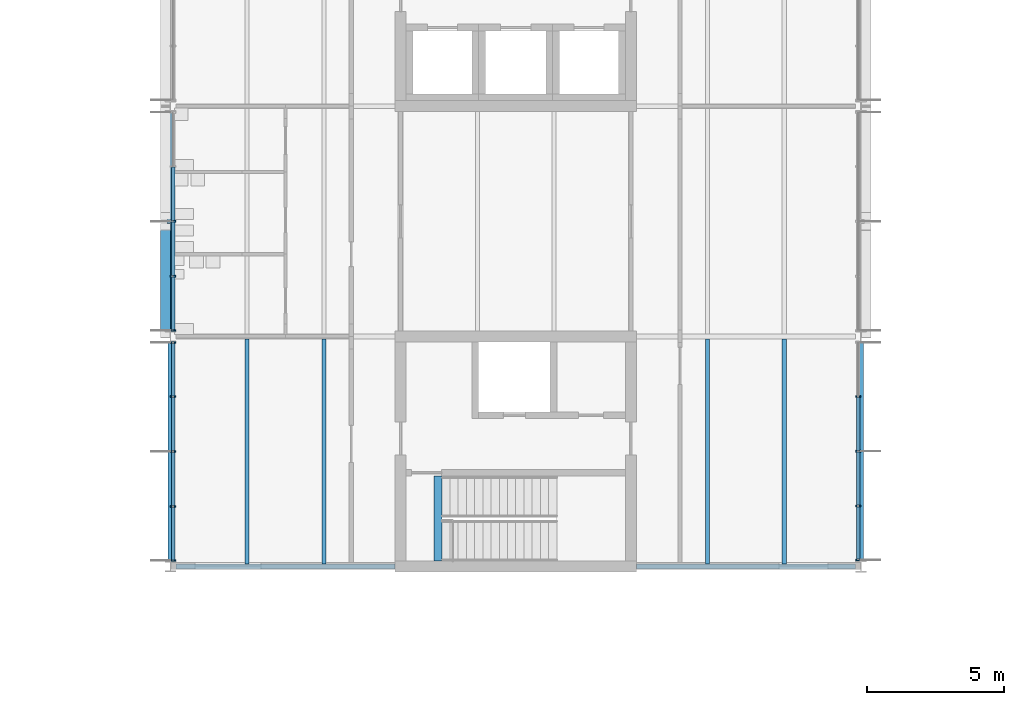
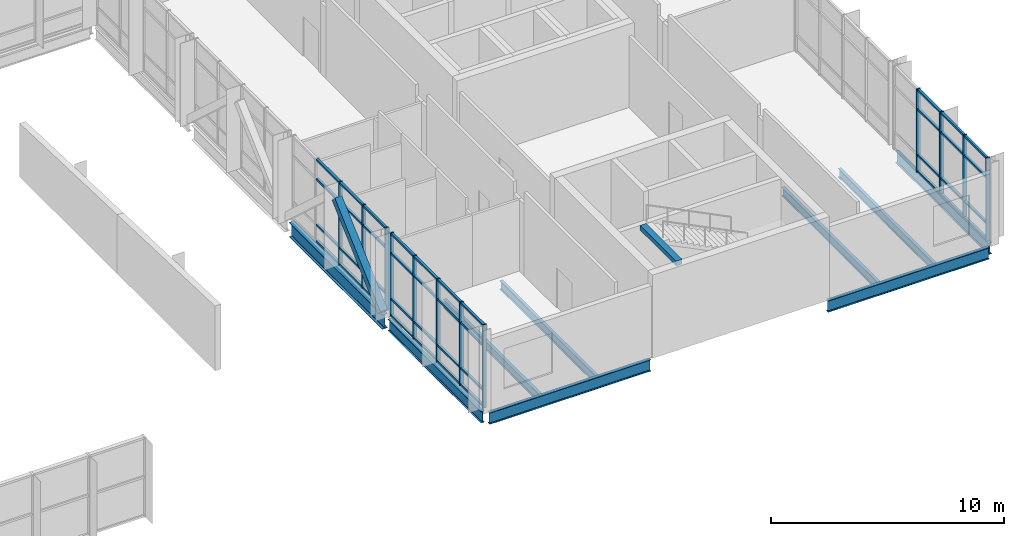
# One storey, part 18 of 72: 53 members, 10 beams, 3 elements without a shape of their own.
"""IFC4 building model written with IfcOpenShell, lengths in metres."""

import ifcopenshell
import ifcopenshell.guid

model = None  # the IFC model being written
_history = None  # IfcOwnerHistory: only IFC2X3 demands one
_inside = {}  # id of a spatial element -> (the spatial element, [elements in it])
_under = {}  # id of a project, library or spatial element -> (it, [spatial elements below it])
_declared = {}  # id of a project -> (the project, [libraries it declares])
_typed = {}  # id of a type object -> (the type object, [elements of that type])
_made_of = {}  # id of a material, layer set ... -> (it, [elements and type objects made of it])


def new_model(schema):
    """Start an empty IFC model of exactly this schema.

    Asked for "IFC4X3", IfcOpenShell would pick the latest addendum, in which some entities
    have other attributes; the version numbers below select the first issue.
    IFC2X3 requires an IfcOwnerHistory on every rooted entity: one is made here for all.
    """
    global model, _history
    if schema == "IFC4X3":
        model = ifcopenshell.file(schema_version=(4, 3, 0, 0))
    else:
        model = ifcopenshell.file(schema=schema)
    _inside.clear()
    _under.clear()
    _declared.clear()
    _typed.clear()
    _made_of.clear()
    _history = None
    if model.schema == "IFC2X3":
        org = make("IfcOrganization", Name="unknown")
        user = make(
            "IfcPersonAndOrganization",
            ThePerson=make("IfcPerson", FamilyName="unknown"),
            TheOrganization=org,
        )
        app = make(
            "IfcApplication",
            ApplicationDeveloper=org,
            Version="unknown",
            ApplicationFullName="unknown",
            ApplicationIdentifier="unknown",
        )
        _history = make(
            "IfcOwnerHistory",
            OwningUser=user,
            OwningApplication=app,
            ChangeAction="ADDED",
            CreationDate=0,
        )
    return model


def make(cls, **values):
    """One entity of the class cls with the attributes given. An attribute that is None is left unset."""
    return model.create_entity(
        cls, **{name: value for name, value in values.items() if value is not None}
    )


def rooted(cls, **values):
    """An entity with a GlobalId (a new one), such as an element, a storey or a relation."""
    return make(cls, GlobalId=ifcopenshell.guid.new(), OwnerHistory=_history, **values)


def si_unit(unit_type, name, prefix=None):
    """IfcSIUnit, for example si_unit("LENGTHUNIT", "METRE", prefix="MILLI")."""
    return make("IfcSIUnit", UnitType=unit_type, Prefix=prefix, Name=name)


def assignment(units):
    """IfcUnitAssignment: the units of a project."""
    return None if units is None else make("IfcUnitAssignment", Units=units)


def point(xyz):
    """IfcCartesianPoint."""
    return None if xyz is None else make("IfcCartesianPoint", Coordinates=xyz)


def direction(xyz):
    """IfcDirection."""
    return None if xyz is None else make("IfcDirection", DirectionRatios=xyz)


def frame(location, z_axis=None, x_axis=None):
    """IfcAxis2Placement3D, a coordinate frame: its origin and axes. An axis left out is left unset."""
    return make(
        "IfcAxis2Placement3D",
        Location=point(location),
        Axis=direction(z_axis),
        RefDirection=direction(x_axis),
    )


def frame_2d(location, x_axis=None):
    """IfcAxis2Placement2D, a coordinate frame in the plane: its origin and x axis."""
    return make(
        "IfcAxis2Placement2D", Location=point(location), RefDirection=direction(x_axis)
    )


def origin():
    """The frame at (0, 0, 0) with its axes left unset."""
    return frame((0.0, 0.0, 0.0))


def origin_2d():
    """The frame at (0, 0) in the plane with its x axis left unset."""
    return frame_2d((0.0, 0.0))


def place(relative_to, where):
    """IfcLocalPlacement: puts the frame where relative to a parent placement (None: the world)."""
    return make(
        "IfcLocalPlacement", PlacementRelTo=relative_to, RelativePlacement=where
    )


def context(
    kind, dimensions, precision=None, world=None, true_north=None, identifier=None
):
    """IfcGeometricRepresentationContext, for example the 3D "Model" context."""
    return make(
        "IfcGeometricRepresentationContext",
        ContextIdentifier=identifier,
        ContextType=kind,
        CoordinateSpaceDimension=dimensions,
        Precision=precision,
        WorldCoordinateSystem=world,
        TrueNorth=true_north,
    )


def subcontext(parent, identifier, kind, view, scale=None):
    """IfcGeometricRepresentationSubContext, for example "Body" below "Model"."""
    return make(
        "IfcGeometricRepresentationSubContext",
        ContextIdentifier=identifier,
        ContextType=kind,
        ParentContext=parent,
        TargetScale=scale,
        TargetView=view,
    )


def project(units=None, contexts=None):
    """IfcProject with its units and contexts."""
    return rooted(
        "IfcProject",
        Name="project",
        RepresentationContexts=contexts,
        UnitsInContext=assignment(units),
    )


def spatial(cls, under=None, at=None, **own):
    """A site, building, storey or space (cls), placed at a placement, below another one or the project."""
    s = rooted(cls, ObjectPlacement=at, **own)
    if under is not None:
        _under.setdefault(under.id(), (under, []))[1].append(s)
    return s


def profile(cls, at=None, kind="AREA", **sizes):
    """A parametric profile (cls). Its sizes go by their IFC names, for example OverallWidth=200.0."""
    return make(cls, ProfileType=kind, Position=at, **sizes)


def rectangle(**sizes):
    """IfcRectangleProfileDef."""
    return profile("IfcRectangleProfileDef", **sizes)


def hollow_rectangle(**sizes):
    """IfcRectangleHollowProfileDef."""
    return profile("IfcRectangleHollowProfileDef", **sizes)


def i_section(**sizes):
    """IfcIShapeProfileDef."""
    return profile("IfcIShapeProfileDef", **sizes)


def extrude(swept, where, along, depth):
    """IfcExtrudedAreaSolid: the profile swept, set in the frame where, extruded along a direction by depth."""
    return make(
        "IfcExtrudedAreaSolid",
        SweptArea=swept,
        Position=where,
        ExtrudedDirection=direction(along),
        Depth=depth,
    )


def shape(context_of_items, identifier, shape_type, items):
    """IfcShapeRepresentation: the items that make up one representation, for example the "Body"."""
    return make(
        "IfcShapeRepresentation",
        ContextOfItems=context_of_items,
        RepresentationIdentifier=identifier,
        RepresentationType=shape_type,
        Items=items,
    )


def material(Name=None, Category=None):
    """IfcMaterial."""
    return make("IfcMaterial", Name=Name, Category=Category)


def material_profile(
    of_material, cross_section, Name=None, Category=None, Priority=None
):
    """IfcMaterialProfile: a cross section and its material."""
    return make(
        "IfcMaterialProfile",
        Name=Name,
        Material=of_material,
        Profile=cross_section,
        Priority=Priority,
        Category=Category,
    )


def profile_set(profiles, Name=None, composite=None):
    """IfcMaterialProfileSet."""
    return make(
        "IfcMaterialProfileSet",
        Name=Name,
        MaterialProfiles=profiles,
        CompositeProfile=composite,
    )


def made_of(thing, what):
    """Note that an element or type object is made of a material, layer set ...; save() writes the relation."""
    if what is not None:
        _made_of.setdefault(what.id(), (what, []))[1].append(thing)
    return thing


def type_object(cls, material=None, **own):
    """A type object (cls), such as IfcWallType, which elements share."""
    return made_of(rooted(cls, **own), material)


def element(
    cls,
    number,
    at=None,
    inside=None,
    cuts=None,
    type_object=None,
    material=None,
    context=None,
    identifier="Body",
    shape_type=None,
    held_by="IfcProductDefinitionShape",
    body=None,
    shapes=None,
    **own,
):
    """One element of the class cls, such as IfcWall. Its Tag is "e" and its number.

    at: its placement. inside: the storey or other place that contains it. cuts: it is an
    opening in that element (IfcRelVoidsElement). A single representation is given by context,
    identifier, shape_type and body (its items); several are given by shapes. held_by: the class
    of the entity that holds the representations. save() writes the other relations.
    """
    e = rooted(cls, Tag="e%d" % number, ObjectPlacement=at, **own)
    if body is not None:
        shapes = [shape(context, identifier, shape_type, body)]
    if shapes is not None:
        e.Representation = make(held_by, Representations=shapes)
    if inside is not None:
        _inside.setdefault(inside.id(), (inside, []))[1].append(e)
    if cuts is not None:
        rooted(
            "IfcRelVoidsElement", RelatingBuildingElement=cuts, RelatedOpeningElement=e
        )
    if type_object is not None:
        _typed.setdefault(type_object.id(), (type_object, []))[1].append(e)
    return made_of(e, material)


def aggregate(whole, parts):
    """IfcRelAggregates: a whole, such as a stair, and the parts it consists of."""
    return rooted("IfcRelAggregates", RelatingObject=whole, RelatedObjects=parts)


def save(model, path):
    """Write the relations noted so far, then the file.

    IfcRelAggregates (storeys below a building ...), IfcRelContainedInSpatialStructure (elements
    in a storey), IfcRelDefinesByType, IfcRelAssociatesMaterial and IfcRelDeclares: one each for
    every whole, place, type object, material and project.
    """
    for whole, parts in _under.values():
        aggregate(whole, parts)
    for where, things in _inside.values():
        rooted(
            "IfcRelContainedInSpatialStructure",
            RelatedElements=things,
            RelatingStructure=where,
        )
    for kind, things in _typed.values():
        rooted("IfcRelDefinesByType", RelatedObjects=things, RelatingType=kind)
    for what, things in _made_of.values():
        rooted("IfcRelAssociatesMaterial", RelatedObjects=things, RelatingMaterial=what)
    for by, libraries in _declared.values():
        rooted("IfcRelDeclares", RelatingContext=by, RelatedDefinitions=libraries)
    model.write(path)


model = new_model("IFC4")

# Units and contexts
model_context = context("Model", 3, precision=1e-05, world=origin(), true_north=direction((0.0, 1.0)))
body_context = subcontext(model_context, "Body", "Model", "MODEL_VIEW")
ifc_project = project(units=[si_unit("LENGTHUNIT", "METRE"), si_unit("AREAUNIT", "SQUARE_METRE"), si_unit("VOLUMEUNIT", "CUBIC_METRE"), si_unit("PLANEANGLEUNIT", "RADIAN"), si_unit("MASSUNIT", "GRAM", prefix="KILO")], contexts=[model_context])

# Site, building, storey
site_placement = place(None, origin())
site = spatial("IfcSite", under=ifc_project, at=site_placement, CompositionType="ELEMENT")
building_placement = place(site_placement, origin())
building = spatial("IfcBuilding", under=site, at=building_placement, Name="Hlaing Beacon Police Headquarters", CompositionType="ELEMENT")
storey_placement = place(building_placement, frame((0.0, 0.0, 14.39990234375)))
storey = spatial("IfcBuildingStorey", under=building, at=storey_placement, Name="L03", CompositionType="ELEMENT", Elevation=14.39990234375)

# Member
ifc_material_1 = material(Name="Steel ASTM A500 Grade C", Category="steel")
ifc_material_profile_1 = material_profile(ifc_material_1, hollow_rectangle(XDim=0.355712890625, YDim=0.355712890625, WallThickness=0.015869140625, at=origin_2d()), Name="HSS14x14x5/8")
ifc_profile_set_1 = profile_set([ifc_material_profile_1], Name="Steel ASTM A500 Grade C")
member_type_1 = type_object("IfcMemberType", Name="Chevron brace HSS14x14x5/8", PredefinedType="BRACE", material=ifc_profile_set_1)
member_1_placement = place(storey_placement, frame((100.6181640625, 42.075927734375, 0.131103515625), z_axis=(0.0, 0.738196081361, 0.674586203137), x_axis=(-1.0, 0.0, 0.0)))
element("IfcMember", 1, at=member_1_placement, inside=storey, type_object=member_type_1, Name="STR-BR-L03-N6a", PredefinedType="BRACE", context=body_context, shape_type="SweptSolid", body=[
    extrude(hollow_rectangle(XDim=0.355712890625, YDim=0.355712890625, WallThickness=0.015869140625, at=origin_2d()), origin(), (0.0, 0.0, 1.0), 5.315673828125),
])

# Beams
ifc_material_2 = material(Name="Steel ASTM A992 Grade 50", Category="steel")
ifc_material_profile_2 = material_profile(ifc_material_2, i_section(OverallWidth=0.177978515625, OverallDepth=0.599365234375, WebThickness=0.010009765625, FlangeThickness=0.012939453125, FilletRadius=0.012939453125, at=origin_2d()), Name="W24x55")
ifc_profile_set_2 = profile_set([ifc_material_profile_2], Name="Steel ASTM A992 Grade 50")
beam_type_1 = type_object("IfcBeamType", Name="Girder W24x55", PredefinedType="BEAM", material=ifc_profile_set_2)
beam_1_placement = place(storey_placement, frame((100.9970703125, 33.60009765625, -0.4296875), z_axis=(1.0, 0.0, 0.0), x_axis=(0.0, 1.0, 0.0)))
element("IfcBeam", 2, at=beam_1_placement, inside=storey, type_object=beam_type_1, Name="STR-BM-L03-GX-N5-P5", PredefinedType="BEAM", context=body_context, shape_type="SweptSolid", body=[
    extrude(i_section(OverallWidth=0.177978515625, OverallDepth=0.599365234375, WebThickness=0.010009765625, FlangeThickness=0.012939453125, FilletRadius=0.012939453125, at=origin_2d()), origin(), (0.0, 0.0, 1.0), 8.0029296875),
])
beam_2_placement = place(storey_placement, frame((117.800048828125, 33.60009765625, -0.4296875), z_axis=(1.0, 0.0, 0.0), x_axis=(0.0, 1.0, 0.0)))
element("IfcBeam", 3, at=beam_2_placement, inside=storey, type_object=beam_type_1, Name="STR-BM-L03-GX-Q5-R5", PredefinedType="BEAM", context=body_context, shape_type="SweptSolid", body=[
    extrude(i_section(OverallWidth=0.177978515625, OverallDepth=0.599365234375, WebThickness=0.010009765625, FlangeThickness=0.012939453125, FilletRadius=0.012939453125, at=origin_2d()), origin(), (0.0, 0.0, 1.0), 7.995849609375),
])
beam_3_placement = place(storey_placement, frame((100.800048828125, 33.7880859375, -0.4296875), z_axis=(0.0, 1.0, 0.0), x_axis=(-1.0, 0.0, 0.0)))
element("IfcBeam", 4, at=beam_3_placement, inside=storey, type_object=beam_type_1, Name="STR-BM-L03-GY-N5-N6", PredefinedType="BEAM", context=body_context, shape_type="SweptSolid", body=[
    extrude(i_section(OverallWidth=0.177978515625, OverallDepth=0.599365234375, WebThickness=0.010009765625, FlangeThickness=0.012939453125, FilletRadius=0.012939453125, at=origin_2d()), origin(), (0.0, 0.0, 1.0), 8.018798828125),
])
beam_4_placement = place(storey_placement, frame((126.0, 33.81201171875, -0.4296875), z_axis=(0.0, 1.0, 0.0), x_axis=(-1.0, 0.0, 0.0)))
element("IfcBeam", 5, at=beam_4_placement, inside=storey, type_object=beam_type_1, Name="STR-BM-L03-GY-R5-R6", PredefinedType="BEAM", context=body_context, shape_type="SweptSolid", body=[
    extrude(i_section(OverallWidth=0.177978515625, OverallDepth=0.599365234375, WebThickness=0.010009765625, FlangeThickness=0.012939453125, FilletRadius=0.012939453125, at=origin_2d()), origin(), (0.0, 0.0, 1.0), 7.994873046875),
])
ifc_material_3 = material(Name="Steel ASTM A992 Grade 50", Category="steel")
ifc_material_profile_3 = material_profile(ifc_material_3, i_section(OverallWidth=0.2666015625, OverallDepth=0.761962890625, WebThickness=0.014404296875, FlangeThickness=0.021484375, FilletRadius=0.0166015625, at=origin_2d()), Name="W30x116")
ifc_profile_set_3 = profile_set([ifc_material_profile_3], Name="Steel ASTM A992 Grade 50")
beam_type_2 = type_object("IfcBeamType", Name="Girder W30x116", PredefinedType="BEAM", material=ifc_profile_set_3)
beam_5_placement = place(storey_placement, frame((100.800048828125, 42.193115234375, -0.510986328125), z_axis=(0.0, 1.0, 0.0), x_axis=(-1.0, 0.0, 0.0)))
element("IfcBeam", 6, at=beam_5_placement, inside=storey, type_object=beam_type_2, Name="STR-BM-L03-GY-N6-N7", PredefinedType="BEAM", context=body_context, shape_type="SweptSolid", body=[
    extrude(i_section(OverallWidth=0.2666015625, OverallDepth=0.761962890625, WebThickness=0.014404296875, FlangeThickness=0.021484375, FilletRadius=0.0166015625, at=origin_2d()), origin(), (0.0, 0.0, 1.0), 8.013916015625),
])

# Curtain wall, members
ifc_material_4 = material(Name="Aluminium frame with solar control glazing", Category="aluminium")
curtain_wall_type_1 = type_object("IfcCurtainWallType", Name="Unitised curtain wall 8.00 x 4.37", PredefinedType="NOTDEFINED", material=ifc_material_4)
curtain_wall_1_placement = place(storey_placement, origin())
curtain_wall_1 = element("IfcCurtainWall", 7, at=curtain_wall_1_placement, inside=storey, type_object=curtain_wall_type_1, Name="ENV-CW-L03-E021", PredefinedType="NOTDEFINED")
ifc_material_5 = material(Name="Aluminium", Category="aluminium")
ifc_material_profile_4 = material_profile(ifc_material_5, rectangle(XDim=0.199951171875, YDim=0.06005859375, at=origin_2d()), Name="Mullion 60x200")
ifc_profile_set_4 = profile_set([ifc_material_profile_4], Name="Aluminium")
member_type_2 = type_object("IfcMemberType", Name="Mullion 60x200", PredefinedType="MULLION", material=ifc_profile_set_4)
member_2_placement = place(storey_placement, frame((125.89990234375, 33.83837890625, 0.0), z_axis=(0.0, 0.0, 1.0), x_axis=(-1.0, 0.0, 0.0)))
member_2 = element("IfcMember", 8, at=member_2_placement, type_object=member_type_2, Name="CW-L03-E021 mullion 1", PredefinedType="MULLION", context=body_context, shape_type="SweptSolid", body=[
    extrude(rectangle(XDim=0.199951171875, YDim=0.06005859375, at=origin_2d()), origin(), (0.0, 0.0, 1.0), 4.3701171875),
])
member_3_placement = place(storey_placement, frame((125.89990234375, 35.80859375, 0.0), z_axis=(0.0, 0.0, 1.0), x_axis=(-1.0, 0.0, 0.0)))
member_3 = element("IfcMember", 9, at=member_3_placement, type_object=member_type_2, Name="CW-L03-E021 mullion 2", PredefinedType="MULLION", context=body_context, shape_type="SweptSolid", body=[
    extrude(rectangle(XDim=0.199951171875, YDim=0.06005859375, at=origin_2d()), origin(), (0.0, 0.0, 1.0), 4.3701171875),
])
member_4_placement = place(storey_placement, frame((125.89990234375, 37.808837890625, 0.0), z_axis=(0.0, 0.0, 1.0), x_axis=(-1.0, 0.0, 0.0)))
member_4 = element("IfcMember", 10, at=member_4_placement, type_object=member_type_2, Name="CW-L03-E021 mullion 3", PredefinedType="MULLION", context=body_context, shape_type="SweptSolid", body=[
    extrude(rectangle(XDim=0.199951171875, YDim=0.06005859375, at=origin_2d()), origin(), (0.0, 0.0, 1.0), 4.3701171875),
])
member_5_placement = place(storey_placement, frame((125.89990234375, 39.80908203125, 0.0), z_axis=(0.0, 0.0, 1.0), x_axis=(-1.0, 0.0, 0.0)))
member_5 = element("IfcMember", 11, at=member_5_placement, type_object=member_type_2, Name="CW-L03-E021 mullion 4", PredefinedType="MULLION", context=body_context, shape_type="SweptSolid", body=[
    extrude(rectangle(XDim=0.199951171875, YDim=0.06005859375, at=origin_2d()), origin(), (0.0, 0.0, 1.0), 4.3701171875),
])

ifc_material_6 = material(Name="Aluminium frame with solar control glazing", Category="aluminium")
curtain_wall_type_2 = type_object("IfcCurtainWallType", Name="Unitised curtain wall 8.02 x 4.37", PredefinedType="NOTDEFINED", material=ifc_material_6)
curtain_wall_2_placement = place(storey_placement, origin())
curtain_wall_2 = element("IfcCurtainWall", 12, at=curtain_wall_2_placement, inside=storey, type_object=curtain_wall_type_2, Name="ENV-CW-L03-W038", PredefinedType="NOTDEFINED")
member_6_placement = place(storey_placement, frame((100.89990234375, 46.199951171875, 0.0), z_axis=(0.0, 0.0, 1.0), x_axis=(1.0, 0.0, 0.0)))
member_6 = element("IfcMember", 13, at=member_6_placement, type_object=member_type_2, Name="CW-L03-W038 mullion 3", PredefinedType="MULLION", context=body_context, shape_type="SweptSolid", body=[
    extrude(rectangle(XDim=0.199951171875, YDim=0.06005859375, at=origin_2d()), origin(), (0.0, 0.0, 1.0), 4.3701171875),
])
member_7_placement = place(storey_placement, frame((100.89990234375, 44.1953125, 0.0), z_axis=(0.0, 0.0, 1.0), x_axis=(1.0, 0.0, 0.0)))
member_7 = element("IfcMember", 14, at=member_7_placement, type_object=member_type_2, Name="CW-L03-W038 mullion 4", PredefinedType="MULLION", context=body_context, shape_type="SweptSolid", body=[
    extrude(rectangle(XDim=0.199951171875, YDim=0.06005859375, at=origin_2d()), origin(), (0.0, 0.0, 1.0), 4.3701171875),
])
member_8_placement = place(storey_placement, frame((100.89990234375, 42.220458984375, 0.0), z_axis=(0.0, 0.0, 1.0), x_axis=(1.0, 0.0, 0.0)))
member_8 = element("IfcMember", 15, at=member_8_placement, type_object=member_type_2, Name="CW-L03-W038 mullion 5", PredefinedType="MULLION", context=body_context, shape_type="SweptSolid", body=[
    extrude(rectangle(XDim=0.199951171875, YDim=0.06005859375, at=origin_2d()), origin(), (0.0, 0.0, 1.0), 4.3701171875),
])

curtain_wall_3_placement = place(storey_placement, origin())
curtain_wall_3 = element("IfcCurtainWall", 16, at=curtain_wall_3_placement, inside=storey, type_object=curtain_wall_type_2, Name="ENV-CW-L03-W039", PredefinedType="NOTDEFINED")
member_9_placement = place(storey_placement, frame((100.89990234375, 41.779541015625, 0.0), z_axis=(0.0, 0.0, 1.0), x_axis=(1.0, 0.0, 0.0)))
member_9 = element("IfcMember", 17, at=member_9_placement, type_object=member_type_2, Name="CW-L03-W039 mullion 1", PredefinedType="MULLION", context=body_context, shape_type="SweptSolid", body=[
    extrude(rectangle(XDim=0.199951171875, YDim=0.06005859375, at=origin_2d()), origin(), (0.0, 0.0, 1.0), 4.3701171875),
])
member_10_placement = place(storey_placement, frame((100.89990234375, 39.8037109375, 0.0), z_axis=(0.0, 0.0, 1.0), x_axis=(1.0, 0.0, 0.0)))
member_10 = element("IfcMember", 18, at=member_10_placement, type_object=member_type_2, Name="CW-L03-W039 mullion 2", PredefinedType="MULLION", context=body_context, shape_type="SweptSolid", body=[
    extrude(rectangle(XDim=0.199951171875, YDim=0.06005859375, at=origin_2d()), origin(), (0.0, 0.0, 1.0), 4.3701171875),
])
member_11_placement = place(storey_placement, frame((100.89990234375, 37.798095703125, 0.0), z_axis=(0.0, 0.0, 1.0), x_axis=(1.0, 0.0, 0.0)))
member_11 = element("IfcMember", 19, at=member_11_placement, type_object=member_type_2, Name="CW-L03-W039 mullion 3", PredefinedType="MULLION", context=body_context, shape_type="SweptSolid", body=[
    extrude(rectangle(XDim=0.199951171875, YDim=0.06005859375, at=origin_2d()), origin(), (0.0, 0.0, 1.0), 4.3701171875),
])
member_12_placement = place(storey_placement, frame((100.89990234375, 35.79248046875, 0.0), z_axis=(0.0, 0.0, 1.0), x_axis=(1.0, 0.0, 0.0)))
member_12 = element("IfcMember", 20, at=member_12_placement, type_object=member_type_2, Name="CW-L03-W039 mullion 4", PredefinedType="MULLION", context=body_context, shape_type="SweptSolid", body=[
    extrude(rectangle(XDim=0.199951171875, YDim=0.06005859375, at=origin_2d()), origin(), (0.0, 0.0, 1.0), 4.3701171875),
])
member_13_placement = place(storey_placement, frame((100.89990234375, 33.816650390625, 0.0), z_axis=(0.0, 0.0, 1.0), x_axis=(1.0, 0.0, 0.0)))
member_13 = element("IfcMember", 21, at=member_13_placement, type_object=member_type_2, Name="CW-L03-W039 mullion 5", PredefinedType="MULLION", context=body_context, shape_type="SweptSolid", body=[
    extrude(rectangle(XDim=0.199951171875, YDim=0.06005859375, at=origin_2d()), origin(), (0.0, 0.0, 1.0), 4.3701171875),
])

# Beams
ifc_material_7 = material(Name="Steel ASTM A992 Grade 50", Category="steel")
ifc_material_profile_5 = material_profile(ifc_material_7, i_section(OverallWidth=0.15234375, OverallDepth=0.449462890625, WebThickness=0.007568359375, FlangeThickness=0.0107421875, FilletRadius=0.01025390625, at=origin_2d()), Name="W18x35")
ifc_profile_set_5 = profile_set([ifc_material_profile_5], Name="Steel ASTM A992 Grade 50")
beam_type_3 = type_object("IfcBeamType", Name="Secondary beam W18x35", PredefinedType="BEAM", material=ifc_profile_set_5)
for number, where, z_axis, x_axis, name in (
    (22, (103.60009765625, 33.68896484375, -0.354736328125), (0.0, 1.0, 0.0), (-1.0, 0.0, 0.0), "STR-BM-L03-SB-N5-y1"),
    (23, (106.39990234375, 33.68896484375, -0.354736328125), (0.0, 1.0, 0.0), (-1.0, 0.0, 0.0), "STR-BM-L03-SB-N5-y2"),
    (24, (120.39990234375, 33.68896484375, -0.354736328125), (0.0, 1.0, 0.0), (-1.0, 0.0, 0.0), "STR-BM-L03-SB-Q5-y1"),
    (25, (123.199951171875, 33.68896484375, -0.354736328125), (0.0, 1.0, 0.0), (-1.0, 0.0, 0.0), "STR-BM-L03-SB-Q5-y2"),
):
    element("IfcBeam", number, at=place(storey_placement, frame(where, z_axis=z_axis, x_axis=x_axis)), inside=storey, type_object=beam_type_3, Name=name, PredefinedType="BEAM", context=body_context, shape_type="SweptSolid", body=[
        extrude(i_section(OverallWidth=0.15234375, OverallDepth=0.449462890625, WebThickness=0.007568359375, FlangeThickness=0.0107421875, FilletRadius=0.01025390625, at=origin_2d()), origin(), (0.0, 0.0, 1.0), 8.221923828125),
    ])
ifc_material_8 = material(Name="Concrete C40/50", Category="concrete")
ifc_material_profile_6 = material_profile(ifc_material_8, rectangle(XDim=0.300048828125, YDim=0.25, at=origin_2d()), Name="Stair arrival beam 300x250")
ifc_profile_set_6 = profile_set([ifc_material_profile_6], Name="Concrete C40/50")
beam_type_4 = type_object("IfcBeamType", Name="Stair arrival beam 300x250", PredefinedType="BEAM", material=ifc_profile_set_6)
beam_6_placement = place(storey_placement, frame((110.56005859375, 33.800048828125, 4.2451171875), z_axis=(0.0, 1.0, 0.0), x_axis=(-1.0, 0.0, 0.0)))
element("IfcBeam", 26, at=beam_6_placement, inside=storey, type_object=beam_type_4, Name="Stair arrival beam ST-L", PredefinedType="BEAM", context=body_context, shape_type="SweptSolid", body=[
    extrude(rectangle(XDim=0.300048828125, YDim=0.25, at=origin_2d()), origin(), (0.0, 0.0, 1.0), 3.099853515625),
])

# Member
ifc_material_9 = material(Name="Aluminium", Category="aluminium")
ifc_material_profile_7 = material_profile(ifc_material_9, rectangle(XDim=0.1201171875, YDim=0.10009765625, at=origin_2d()), Name="Transom 120x100")
ifc_profile_set_7 = profile_set([ifc_material_profile_7], Name="Aluminium")
member_type_3 = type_object("IfcMemberType", Name="Transom 120x100", PredefinedType="USERDEFINED", material=ifc_profile_set_7)
member_14_placement = place(storey_placement, frame((125.89990234375, 33.868408203125, 0.050048828125), z_axis=(0.0, 1.0, 0.0), x_axis=(-1.0, 0.0, 0.0)))
member_14 = element("IfcMember", 27, at=member_14_placement, type_object=member_type_3, Name="CW-L03-E021 transom 1.1", ObjectType="TRANSOM", PredefinedType="USERDEFINED", context=body_context, shape_type="SweptSolid", body=[
    extrude(rectangle(XDim=0.1201171875, YDim=0.10009765625, at=origin_2d()), origin(), (0.0, 0.0, 1.0), 1.91015625),
])

member_15_placement = place(storey_placement, frame((125.89990234375, 33.868408203125, 0.900146484375), z_axis=(0.0, 1.0, 0.0), x_axis=(-1.0, 0.0, 0.0)))
member_15 = element("IfcMember", 28, at=member_15_placement, type_object=member_type_3, Name="CW-L03-E021 transom 1.2", ObjectType="TRANSOM", PredefinedType="USERDEFINED", context=body_context, shape_type="SweptSolid", body=[
    extrude(rectangle(XDim=0.1201171875, YDim=0.10009765625, at=origin_2d()), origin(), (0.0, 0.0, 1.0), 1.91015625),
])

member_16_placement = place(storey_placement, frame((125.89990234375, 33.868408203125, 3.300048828125), z_axis=(0.0, 1.0, 0.0), x_axis=(-1.0, 0.0, 0.0)))
member_16 = element("IfcMember", 29, at=member_16_placement, type_object=member_type_3, Name="CW-L03-E021 transom 1.3", ObjectType="TRANSOM", PredefinedType="USERDEFINED", context=body_context, shape_type="SweptSolid", body=[
    extrude(rectangle(XDim=0.1201171875, YDim=0.10009765625, at=origin_2d()), origin(), (0.0, 0.0, 1.0), 1.91015625),
])

member_17_placement = place(storey_placement, frame((125.89990234375, 33.868408203125, 4.320068359375), z_axis=(0.0, 1.0, 0.0), x_axis=(-1.0, 0.0, 0.0)))
member_17 = element("IfcMember", 30, at=member_17_placement, type_object=member_type_3, Name="CW-L03-E021 transom 1.4", ObjectType="TRANSOM", PredefinedType="USERDEFINED", context=body_context, shape_type="SweptSolid", body=[
    extrude(rectangle(XDim=0.1201171875, YDim=0.10009765625, at=origin_2d()), origin(), (0.0, 0.0, 1.0), 1.91015625),
])

member_18_placement = place(storey_placement, frame((125.89990234375, 35.838623046875, 0.050048828125), z_axis=(0.0, 1.0, 0.0), x_axis=(-1.0, 0.0, 0.0)))
member_18 = element("IfcMember", 31, at=member_18_placement, type_object=member_type_3, Name="CW-L03-E021 transom 2.1", ObjectType="TRANSOM", PredefinedType="USERDEFINED", context=body_context, shape_type="SweptSolid", body=[
    extrude(rectangle(XDim=0.1201171875, YDim=0.10009765625, at=origin_2d()), origin(), (0.0, 0.0, 1.0), 1.940185546875),
])

member_19_placement = place(storey_placement, frame((125.89990234375, 35.838623046875, 0.900146484375), z_axis=(0.0, 1.0, 0.0), x_axis=(-1.0, 0.0, 0.0)))
member_19 = element("IfcMember", 32, at=member_19_placement, type_object=member_type_3, Name="CW-L03-E021 transom 2.2", ObjectType="TRANSOM", PredefinedType="USERDEFINED", context=body_context, shape_type="SweptSolid", body=[
    extrude(rectangle(XDim=0.1201171875, YDim=0.10009765625, at=origin_2d()), origin(), (0.0, 0.0, 1.0), 1.940185546875),
])

member_20_placement = place(storey_placement, frame((125.89990234375, 35.838623046875, 3.300048828125), z_axis=(0.0, 1.0, 0.0), x_axis=(-1.0, 0.0, 0.0)))
member_20 = element("IfcMember", 33, at=member_20_placement, type_object=member_type_3, Name="CW-L03-E021 transom 2.3", ObjectType="TRANSOM", PredefinedType="USERDEFINED", context=body_context, shape_type="SweptSolid", body=[
    extrude(rectangle(XDim=0.1201171875, YDim=0.10009765625, at=origin_2d()), origin(), (0.0, 0.0, 1.0), 1.940185546875),
])

member_21_placement = place(storey_placement, frame((125.89990234375, 35.838623046875, 4.320068359375), z_axis=(0.0, 1.0, 0.0), x_axis=(-1.0, 0.0, 0.0)))
member_21 = element("IfcMember", 34, at=member_21_placement, type_object=member_type_3, Name="CW-L03-E021 transom 2.4", ObjectType="TRANSOM", PredefinedType="USERDEFINED", context=body_context, shape_type="SweptSolid", body=[
    extrude(rectangle(XDim=0.1201171875, YDim=0.10009765625, at=origin_2d()), origin(), (0.0, 0.0, 1.0), 1.940185546875),
])

member_22_placement = place(storey_placement, frame((125.89990234375, 37.8388671875, 0.050048828125), z_axis=(0.0, 1.0, 0.0), x_axis=(-1.0, 0.0, 0.0)))
member_22 = element("IfcMember", 35, at=member_22_placement, type_object=member_type_3, Name="CW-L03-E021 transom 3.1", ObjectType="TRANSOM", PredefinedType="USERDEFINED", context=body_context, shape_type="SweptSolid", body=[
    extrude(rectangle(XDim=0.1201171875, YDim=0.10009765625, at=origin_2d()), origin(), (0.0, 0.0, 1.0), 1.9404296875),
])

member_23_placement = place(storey_placement, frame((125.89990234375, 37.8388671875, 0.900146484375), z_axis=(0.0, 1.0, 0.0), x_axis=(-1.0, 0.0, 0.0)))
member_23 = element("IfcMember", 36, at=member_23_placement, type_object=member_type_3, Name="CW-L03-E021 transom 3.2", ObjectType="TRANSOM", PredefinedType="USERDEFINED", context=body_context, shape_type="SweptSolid", body=[
    extrude(rectangle(XDim=0.1201171875, YDim=0.10009765625, at=origin_2d()), origin(), (0.0, 0.0, 1.0), 1.9404296875),
])

member_24_placement = place(storey_placement, frame((125.89990234375, 37.8388671875, 3.300048828125), z_axis=(0.0, 1.0, 0.0), x_axis=(-1.0, 0.0, 0.0)))
member_24 = element("IfcMember", 37, at=member_24_placement, type_object=member_type_3, Name="CW-L03-E021 transom 3.3", ObjectType="TRANSOM", PredefinedType="USERDEFINED", context=body_context, shape_type="SweptSolid", body=[
    extrude(rectangle(XDim=0.1201171875, YDim=0.10009765625, at=origin_2d()), origin(), (0.0, 0.0, 1.0), 1.9404296875),
])

member_25_placement = place(storey_placement, frame((125.89990234375, 37.8388671875, 4.320068359375), z_axis=(0.0, 1.0, 0.0), x_axis=(-1.0, 0.0, 0.0)))
member_25 = element("IfcMember", 38, at=member_25_placement, type_object=member_type_3, Name="CW-L03-E021 transom 3.4", ObjectType="TRANSOM", PredefinedType="USERDEFINED", context=body_context, shape_type="SweptSolid", body=[
    extrude(rectangle(XDim=0.1201171875, YDim=0.10009765625, at=origin_2d()), origin(), (0.0, 0.0, 1.0), 1.9404296875),
])

aggregate(curtain_wall_1, [member_2, member_3, member_4, member_5, member_14, member_15, member_16, member_17, member_18, member_19, member_20, member_21, member_22, member_23, member_24, member_25])

member_26_placement = place(storey_placement, frame((100.89990234375, 48.1748046875, 0.050048828125), z_axis=(0.0, -1.0, 0.0), x_axis=(1.0, 0.0, 0.0)))
member_26 = element("IfcMember", 39, at=member_26_placement, type_object=member_type_3, Name="CW-L03-W038 transom 2.1", ObjectType="TRANSOM", PredefinedType="USERDEFINED", context=body_context, shape_type="SweptSolid", body=[
    extrude(rectangle(XDim=0.1201171875, YDim=0.10009765625, at=origin_2d()), origin(), (0.0, 0.0, 1.0), 1.94482421875),
])

member_27_placement = place(storey_placement, frame((100.89990234375, 48.1748046875, 0.900146484375), z_axis=(0.0, -1.0, 0.0), x_axis=(1.0, 0.0, 0.0)))
member_27 = element("IfcMember", 40, at=member_27_placement, type_object=member_type_3, Name="CW-L03-W038 transom 2.2", ObjectType="TRANSOM", PredefinedType="USERDEFINED", context=body_context, shape_type="SweptSolid", body=[
    extrude(rectangle(XDim=0.1201171875, YDim=0.10009765625, at=origin_2d()), origin(), (0.0, 0.0, 1.0), 1.94482421875),
])

member_28_placement = place(storey_placement, frame((100.89990234375, 48.1748046875, 3.300048828125), z_axis=(0.0, -1.0, 0.0), x_axis=(1.0, 0.0, 0.0)))
member_28 = element("IfcMember", 41, at=member_28_placement, type_object=member_type_3, Name="CW-L03-W038 transom 2.3", ObjectType="TRANSOM", PredefinedType="USERDEFINED", context=body_context, shape_type="SweptSolid", body=[
    extrude(rectangle(XDim=0.1201171875, YDim=0.10009765625, at=origin_2d()), origin(), (0.0, 0.0, 1.0), 1.94482421875),
])

member_29_placement = place(storey_placement, frame((100.89990234375, 48.1748046875, 4.320068359375), z_axis=(0.0, -1.0, 0.0), x_axis=(1.0, 0.0, 0.0)))
member_29 = element("IfcMember", 42, at=member_29_placement, type_object=member_type_3, Name="CW-L03-W038 transom 2.4", ObjectType="TRANSOM", PredefinedType="USERDEFINED", context=body_context, shape_type="SweptSolid", body=[
    extrude(rectangle(XDim=0.1201171875, YDim=0.10009765625, at=origin_2d()), origin(), (0.0, 0.0, 1.0), 1.94482421875),
])

member_30_placement = place(storey_placement, frame((100.89990234375, 46.169921875, 0.050048828125), z_axis=(0.0, -1.0, 0.0), x_axis=(1.0, 0.0, 0.0)))
member_30 = element("IfcMember", 43, at=member_30_placement, type_object=member_type_3, Name="CW-L03-W038 transom 3.1", ObjectType="TRANSOM", PredefinedType="USERDEFINED", context=body_context, shape_type="SweptSolid", body=[
    extrude(rectangle(XDim=0.1201171875, YDim=0.10009765625, at=origin_2d()), origin(), (0.0, 0.0, 1.0), 1.944580078125),
])

member_31_placement = place(storey_placement, frame((100.89990234375, 46.169921875, 0.900146484375), z_axis=(0.0, -1.0, 0.0), x_axis=(1.0, 0.0, 0.0)))
member_31 = element("IfcMember", 44, at=member_31_placement, type_object=member_type_3, Name="CW-L03-W038 transom 3.2", ObjectType="TRANSOM", PredefinedType="USERDEFINED", context=body_context, shape_type="SweptSolid", body=[
    extrude(rectangle(XDim=0.1201171875, YDim=0.10009765625, at=origin_2d()), origin(), (0.0, 0.0, 1.0), 1.944580078125),
])

member_32_placement = place(storey_placement, frame((100.89990234375, 46.169921875, 3.300048828125), z_axis=(0.0, -1.0, 0.0), x_axis=(1.0, 0.0, 0.0)))
member_32 = element("IfcMember", 45, at=member_32_placement, type_object=member_type_3, Name="CW-L03-W038 transom 3.3", ObjectType="TRANSOM", PredefinedType="USERDEFINED", context=body_context, shape_type="SweptSolid", body=[
    extrude(rectangle(XDim=0.1201171875, YDim=0.10009765625, at=origin_2d()), origin(), (0.0, 0.0, 1.0), 1.944580078125),
])

member_33_placement = place(storey_placement, frame((100.89990234375, 46.169921875, 4.320068359375), z_axis=(0.0, -1.0, 0.0), x_axis=(1.0, 0.0, 0.0)))
member_33 = element("IfcMember", 46, at=member_33_placement, type_object=member_type_3, Name="CW-L03-W038 transom 3.4", ObjectType="TRANSOM", PredefinedType="USERDEFINED", context=body_context, shape_type="SweptSolid", body=[
    extrude(rectangle(XDim=0.1201171875, YDim=0.10009765625, at=origin_2d()), origin(), (0.0, 0.0, 1.0), 1.944580078125),
])

member_34_placement = place(storey_placement, frame((100.89990234375, 44.165283203125, 0.050048828125), z_axis=(0.0, -1.0, 0.0), x_axis=(1.0, 0.0, 0.0)))
member_34 = element("IfcMember", 47, at=member_34_placement, type_object=member_type_3, Name="CW-L03-W038 transom 4.1", ObjectType="TRANSOM", PredefinedType="USERDEFINED", context=body_context, shape_type="SweptSolid", body=[
    extrude(rectangle(XDim=0.1201171875, YDim=0.10009765625, at=origin_2d()), origin(), (0.0, 0.0, 1.0), 1.914794921875),
])

member_35_placement = place(storey_placement, frame((100.89990234375, 44.165283203125, 0.900146484375), z_axis=(0.0, -1.0, 0.0), x_axis=(1.0, 0.0, 0.0)))
member_35 = element("IfcMember", 48, at=member_35_placement, type_object=member_type_3, Name="CW-L03-W038 transom 4.2", ObjectType="TRANSOM", PredefinedType="USERDEFINED", context=body_context, shape_type="SweptSolid", body=[
    extrude(rectangle(XDim=0.1201171875, YDim=0.10009765625, at=origin_2d()), origin(), (0.0, 0.0, 1.0), 1.914794921875),
])

member_36_placement = place(storey_placement, frame((100.89990234375, 44.165283203125, 3.300048828125), z_axis=(0.0, -1.0, 0.0), x_axis=(1.0, 0.0, 0.0)))
member_36 = element("IfcMember", 49, at=member_36_placement, type_object=member_type_3, Name="CW-L03-W038 transom 4.3", ObjectType="TRANSOM", PredefinedType="USERDEFINED", context=body_context, shape_type="SweptSolid", body=[
    extrude(rectangle(XDim=0.1201171875, YDim=0.10009765625, at=origin_2d()), origin(), (0.0, 0.0, 1.0), 1.914794921875),
])

member_37_placement = place(storey_placement, frame((100.89990234375, 44.165283203125, 4.320068359375), z_axis=(0.0, -1.0, 0.0), x_axis=(1.0, 0.0, 0.0)))
member_37 = element("IfcMember", 50, at=member_37_placement, type_object=member_type_3, Name="CW-L03-W038 transom 4.4", ObjectType="TRANSOM", PredefinedType="USERDEFINED", context=body_context, shape_type="SweptSolid", body=[
    extrude(rectangle(XDim=0.1201171875, YDim=0.10009765625, at=origin_2d()), origin(), (0.0, 0.0, 1.0), 1.914794921875),
])

aggregate(curtain_wall_2, [member_6, member_7, member_8, member_26, member_27, member_28, member_29, member_30, member_31, member_32, member_33, member_34, member_35, member_36, member_37])

member_38_placement = place(storey_placement, frame((100.89990234375, 41.74951171875, 0.050048828125), z_axis=(0.0, -1.0, 0.0), x_axis=(1.0, 0.0, 0.0)))
member_38 = element("IfcMember", 51, at=member_38_placement, type_object=member_type_3, Name="CW-L03-W039 transom 1.1", ObjectType="TRANSOM", PredefinedType="USERDEFINED", context=body_context, shape_type="SweptSolid", body=[
    extrude(rectangle(XDim=0.1201171875, YDim=0.10009765625, at=origin_2d()), origin(), (0.0, 0.0, 1.0), 1.915771484375),
])

member_39_placement = place(storey_placement, frame((100.89990234375, 41.74951171875, 0.900146484375), z_axis=(0.0, -1.0, 0.0), x_axis=(1.0, 0.0, 0.0)))
member_39 = element("IfcMember", 52, at=member_39_placement, type_object=member_type_3, Name="CW-L03-W039 transom 1.2", ObjectType="TRANSOM", PredefinedType="USERDEFINED", context=body_context, shape_type="SweptSolid", body=[
    extrude(rectangle(XDim=0.1201171875, YDim=0.10009765625, at=origin_2d()), origin(), (0.0, 0.0, 1.0), 1.915771484375),
])

member_40_placement = place(storey_placement, frame((100.89990234375, 41.74951171875, 3.300048828125), z_axis=(0.0, -1.0, 0.0), x_axis=(1.0, 0.0, 0.0)))
member_40 = element("IfcMember", 53, at=member_40_placement, type_object=member_type_3, Name="CW-L03-W039 transom 1.3", ObjectType="TRANSOM", PredefinedType="USERDEFINED", context=body_context, shape_type="SweptSolid", body=[
    extrude(rectangle(XDim=0.1201171875, YDim=0.10009765625, at=origin_2d()), origin(), (0.0, 0.0, 1.0), 1.915771484375),
])

member_41_placement = place(storey_placement, frame((100.89990234375, 41.74951171875, 4.320068359375), z_axis=(0.0, -1.0, 0.0), x_axis=(1.0, 0.0, 0.0)))
member_41 = element("IfcMember", 54, at=member_41_placement, type_object=member_type_3, Name="CW-L03-W039 transom 1.4", ObjectType="TRANSOM", PredefinedType="USERDEFINED", context=body_context, shape_type="SweptSolid", body=[
    extrude(rectangle(XDim=0.1201171875, YDim=0.10009765625, at=origin_2d()), origin(), (0.0, 0.0, 1.0), 1.915771484375),
])

member_42_placement = place(storey_placement, frame((100.89990234375, 39.773681640625, 0.050048828125), z_axis=(0.0, -1.0, 0.0), x_axis=(1.0, 0.0, 0.0)))
member_42 = element("IfcMember", 55, at=member_42_placement, type_object=member_type_3, Name="CW-L03-W039 transom 2.1", ObjectType="TRANSOM", PredefinedType="USERDEFINED", context=body_context, shape_type="SweptSolid", body=[
    extrude(rectangle(XDim=0.1201171875, YDim=0.10009765625, at=origin_2d()), origin(), (0.0, 0.0, 1.0), 1.945556640625),
])

member_43_placement = place(storey_placement, frame((100.89990234375, 39.773681640625, 0.900146484375), z_axis=(0.0, -1.0, 0.0), x_axis=(1.0, 0.0, 0.0)))
member_43 = element("IfcMember", 56, at=member_43_placement, type_object=member_type_3, Name="CW-L03-W039 transom 2.2", ObjectType="TRANSOM", PredefinedType="USERDEFINED", context=body_context, shape_type="SweptSolid", body=[
    extrude(rectangle(XDim=0.1201171875, YDim=0.10009765625, at=origin_2d()), origin(), (0.0, 0.0, 1.0), 1.945556640625),
])

member_44_placement = place(storey_placement, frame((100.89990234375, 39.773681640625, 3.300048828125), z_axis=(0.0, -1.0, 0.0), x_axis=(1.0, 0.0, 0.0)))
member_44 = element("IfcMember", 57, at=member_44_placement, type_object=member_type_3, Name="CW-L03-W039 transom 2.3", ObjectType="TRANSOM", PredefinedType="USERDEFINED", context=body_context, shape_type="SweptSolid", body=[
    extrude(rectangle(XDim=0.1201171875, YDim=0.10009765625, at=origin_2d()), origin(), (0.0, 0.0, 1.0), 1.945556640625),
])

member_45_placement = place(storey_placement, frame((100.89990234375, 39.773681640625, 4.320068359375), z_axis=(0.0, -1.0, 0.0), x_axis=(1.0, 0.0, 0.0)))
member_45 = element("IfcMember", 58, at=member_45_placement, type_object=member_type_3, Name="CW-L03-W039 transom 2.4", ObjectType="TRANSOM", PredefinedType="USERDEFINED", context=body_context, shape_type="SweptSolid", body=[
    extrude(rectangle(XDim=0.1201171875, YDim=0.10009765625, at=origin_2d()), origin(), (0.0, 0.0, 1.0), 1.945556640625),
])

member_46_placement = place(storey_placement, frame((100.89990234375, 37.76806640625, 0.050048828125), z_axis=(0.0, -1.0, 0.0), x_axis=(1.0, 0.0, 0.0)))
member_46 = element("IfcMember", 59, at=member_46_placement, type_object=member_type_3, Name="CW-L03-W039 transom 3.1", ObjectType="TRANSOM", PredefinedType="USERDEFINED", context=body_context, shape_type="SweptSolid", body=[
    extrude(rectangle(XDim=0.1201171875, YDim=0.10009765625, at=origin_2d()), origin(), (0.0, 0.0, 1.0), 1.945556640625),
])

member_47_placement = place(storey_placement, frame((100.89990234375, 37.76806640625, 0.900146484375), z_axis=(0.0, -1.0, 0.0), x_axis=(1.0, 0.0, 0.0)))
member_47 = element("IfcMember", 60, at=member_47_placement, type_object=member_type_3, Name="CW-L03-W039 transom 3.2", ObjectType="TRANSOM", PredefinedType="USERDEFINED", context=body_context, shape_type="SweptSolid", body=[
    extrude(rectangle(XDim=0.1201171875, YDim=0.10009765625, at=origin_2d()), origin(), (0.0, 0.0, 1.0), 1.945556640625),
])

member_48_placement = place(storey_placement, frame((100.89990234375, 37.76806640625, 3.300048828125), z_axis=(0.0, -1.0, 0.0), x_axis=(1.0, 0.0, 0.0)))
member_48 = element("IfcMember", 61, at=member_48_placement, type_object=member_type_3, Name="CW-L03-W039 transom 3.3", ObjectType="TRANSOM", PredefinedType="USERDEFINED", context=body_context, shape_type="SweptSolid", body=[
    extrude(rectangle(XDim=0.1201171875, YDim=0.10009765625, at=origin_2d()), origin(), (0.0, 0.0, 1.0), 1.945556640625),
])

member_49_placement = place(storey_placement, frame((100.89990234375, 37.76806640625, 4.320068359375), z_axis=(0.0, -1.0, 0.0), x_axis=(1.0, 0.0, 0.0)))
member_49 = element("IfcMember", 62, at=member_49_placement, type_object=member_type_3, Name="CW-L03-W039 transom 3.4", ObjectType="TRANSOM", PredefinedType="USERDEFINED", context=body_context, shape_type="SweptSolid", body=[
    extrude(rectangle(XDim=0.1201171875, YDim=0.10009765625, at=origin_2d()), origin(), (0.0, 0.0, 1.0), 1.945556640625),
])

member_50_placement = place(storey_placement, frame((100.89990234375, 35.762451171875, 0.050048828125), z_axis=(0.0, -1.0, 0.0), x_axis=(1.0, 0.0, 0.0)))
member_50 = element("IfcMember", 63, at=member_50_placement, type_object=member_type_3, Name="CW-L03-W039 transom 4.1", ObjectType="TRANSOM", PredefinedType="USERDEFINED", context=body_context, shape_type="SweptSolid", body=[
    extrude(rectangle(XDim=0.1201171875, YDim=0.10009765625, at=origin_2d()), origin(), (0.0, 0.0, 1.0), 1.915771484375),
])

member_51_placement = place(storey_placement, frame((100.89990234375, 35.762451171875, 0.900146484375), z_axis=(0.0, -1.0, 0.0), x_axis=(1.0, 0.0, 0.0)))
member_51 = element("IfcMember", 64, at=member_51_placement, type_object=member_type_3, Name="CW-L03-W039 transom 4.2", ObjectType="TRANSOM", PredefinedType="USERDEFINED", context=body_context, shape_type="SweptSolid", body=[
    extrude(rectangle(XDim=0.1201171875, YDim=0.10009765625, at=origin_2d()), origin(), (0.0, 0.0, 1.0), 1.915771484375),
])

member_52_placement = place(storey_placement, frame((100.89990234375, 35.762451171875, 3.300048828125), z_axis=(0.0, -1.0, 0.0), x_axis=(1.0, 0.0, 0.0)))
member_52 = element("IfcMember", 65, at=member_52_placement, type_object=member_type_3, Name="CW-L03-W039 transom 4.3", ObjectType="TRANSOM", PredefinedType="USERDEFINED", context=body_context, shape_type="SweptSolid", body=[
    extrude(rectangle(XDim=0.1201171875, YDim=0.10009765625, at=origin_2d()), origin(), (0.0, 0.0, 1.0), 1.915771484375),
])

member_53_placement = place(storey_placement, frame((100.89990234375, 35.762451171875, 4.320068359375), z_axis=(0.0, -1.0, 0.0), x_axis=(1.0, 0.0, 0.0)))
member_53 = element("IfcMember", 66, at=member_53_placement, type_object=member_type_3, Name="CW-L03-W039 transom 4.4", ObjectType="TRANSOM", PredefinedType="USERDEFINED", context=body_context, shape_type="SweptSolid", body=[
    extrude(rectangle(XDim=0.1201171875, YDim=0.10009765625, at=origin_2d()), origin(), (0.0, 0.0, 1.0), 1.915771484375),
])

aggregate(curtain_wall_3, [member_9, member_10, member_11, member_12, member_13, member_38, member_39, member_40, member_41, member_42, member_43, member_44, member_45, member_46, member_47, member_48, member_49, member_50, member_51, member_52, member_53])

save(model, "model.ifc")
